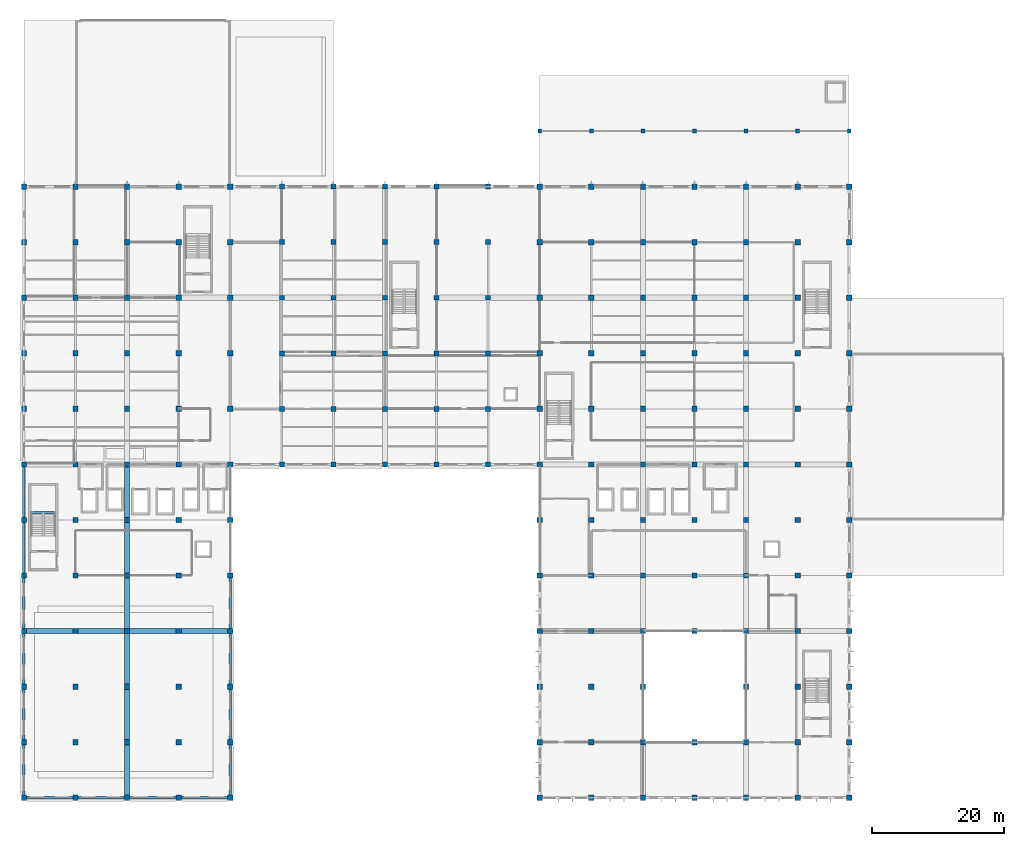
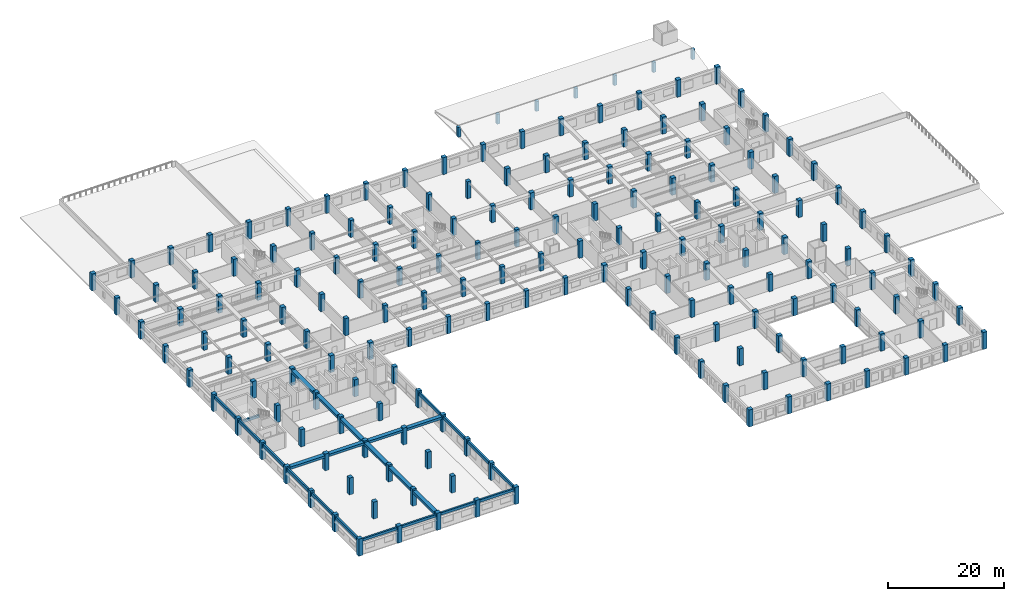
# One storey, part 1 of 50: 180 columns, 25 beams.
"""IFC4 building model written with IfcOpenShell, lengths in metres."""

from ifc_helpers import new_model, si_unit, direction, frame, origin, origin_2d, place, context, subcontext, project, spatial, rectangle, extrude, material, material_profile, profile_set, type_object, element, save


model = new_model("IFC4")

# Units and contexts
model_context = context("Model", 3, precision=1e-05, world=origin(), true_north=direction((0.0, 1.0)))
body_context = subcontext(model_context, "Body", "Model", "MODEL_VIEW")
ifc_project = project(units=[si_unit("LENGTHUNIT", "METRE"), si_unit("AREAUNIT", "SQUARE_METRE"), si_unit("VOLUMEUNIT", "CUBIC_METRE"), si_unit("PLANEANGLEUNIT", "RADIAN"), si_unit("MASSUNIT", "GRAM", prefix="KILO"), si_unit("THERMODYNAMICTEMPERATUREUNIT", "KELVIN"), si_unit("POWERUNIT", "WATT")], contexts=[model_context])

# Site, building, storey
site_placement = place(None, origin())
site = spatial("IfcSite", under=ifc_project, at=site_placement, CompositionType="ELEMENT")
building_placement = place(site_placement, origin())
building = spatial("IfcBuilding", under=site, at=building_placement, Name="Srebrne Nadtorze General Hospital", CompositionType="ELEMENT")
storey_placement = place(building_placement, frame((0.0, 0.0, 14.39990234375)))
storey = spatial("IfcBuildingStorey", under=building, at=storey_placement, Name="L03", CompositionType="ELEMENT", Elevation=14.39990234375)

# Columns
ifc_material_1 = material(Name="Concrete C35/45", Category="concrete")
ifc_material_profile_1 = material_profile(ifc_material_1, rectangle(XDim=0.60009765625, YDim=0.60009765625, at=origin_2d()), Name="RC-COL-600x600")
ifc_profile_set_1 = profile_set([ifc_material_profile_1], Name="Concrete C35/45")
column_type_1 = type_object("IfcColumnType", Name="Reinforced concrete column 600x600", PredefinedType="COLUMN", material=ifc_profile_set_1)
for number, where, z_axis, x_axis, name in (
    (1, (101.39990234375, 100.800048828125, 0.0), (0.0, 0.0, 1.0), (1.0, 0.0, 0.0), "Pavilion roof ridge column NEB 01"),
    (2, (109.199951171875, 100.800048828125, 0.0), (0.0, 0.0, 1.0), (1.0, 0.0, 0.0), "Pavilion roof ridge column NEB 02"),
    (3, (117.0, 100.800048828125, 0.0), (0.0, 0.0, 1.0), (1.0, 0.0, 0.0), "Pavilion roof ridge column NEB 03"),
    (4, (124.800048828125, 100.800048828125, 0.0), (0.0, 0.0, 1.0), (1.0, 0.0, 0.0), "Pavilion roof ridge column NEB 04"),
    (5, (132.60009765625, 100.800048828125, 0.0), (0.0, 0.0, 1.0), (1.0, 0.0, 0.0), "Pavilion roof ridge column NEB 05"),
    (6, (140.39990234375, 100.800048828125, 0.0), (0.0, 0.0, 1.0), (1.0, 0.0, 0.0), "Pavilion roof ridge column NEB 06"),
    (7, (148.199951171875, 100.800048828125, 0.0), (0.0, 0.0, 1.0), (1.0, 0.0, 0.0), "Pavilion roof ridge column NEB 07"),
):
    element("IfcColumn", number, at=place(storey_placement, frame(where, z_axis=z_axis, x_axis=x_axis)), inside=storey, type_object=column_type_1, Name=name, PredefinedType="COLUMN", context=body_context, shape_type="SweptSolid", body=[
        extrude(rectangle(XDim=0.60009765625, YDim=0.60009765625, at=origin_2d()), origin(), (0.0, 0.0, 1.0), 2.080078125),
    ])
ifc_material_2 = material(Name="Concrete C40/50", Category="concrete")
ifc_material_profile_2 = material_profile(ifc_material_2, rectangle(XDim=0.75, YDim=0.75, at=origin_2d()), Name="RC-COL-750x750")
ifc_profile_set_2 = profile_set([ifc_material_profile_2], Name="Concrete C40/50")
column_type_2 = type_object("IfcColumnType", Name="Reinforced concrete column 750x750", PredefinedType="COLUMN", material=ifc_profile_set_2)
for number, where, z_axis, x_axis, name in (
    (8, (62.39990234375, 50.39990234375, 0.0), (0.0, 0.0, 1.0), (1.0, 0.0, 0.0), "Column CL-L03-9-G"),
    (9, (62.39990234375, 58.800048828125, 0.0), (0.0, 0.0, 1.0), (1.0, 0.0, 0.0), "Column CL-L03-9-H"),
    (10, (62.39990234375, 67.199951171875, 0.0), (0.0, 0.0, 1.0), (1.0, 0.0, 0.0), "Column CL-L03-9-J"),
    (11, (62.39990234375, 75.60009765625, 0.0), (0.0, 0.0, 1.0), (1.0, 0.0, 0.0), "Column CL-L03-9-K"),
    (12, (62.39990234375, 84.0, 0.0), (0.0, 0.0, 1.0), (1.0, 0.0, 0.0), "Column CL-L03-9-L"),
    (13, (62.39990234375, 92.39990234375, 0.0), (0.0, 0.0, 1.0), (1.0, 0.0, 0.0), "Column CL-L03-9-M"),
    (14, (70.199951171875, 50.39990234375, 0.0), (0.0, 0.0, 1.0), (1.0, 0.0, 0.0), "Column CL-L03-10-G"),
    (15, (70.199951171875, 58.800048828125, 0.0), (0.0, 0.0, 1.0), (1.0, 0.0, 0.0), "Column CL-L03-10-H"),
    (16, (70.199951171875, 67.199951171875, 0.0), (0.0, 0.0, 1.0), (1.0, 0.0, 0.0), "Column CL-L03-10-J"),
    (17, (70.199951171875, 75.60009765625, 0.0), (0.0, 0.0, 1.0), (1.0, 0.0, 0.0), "Column CL-L03-10-K"),
    (18, (70.199951171875, 84.0, 0.0), (0.0, 0.0, 1.0), (1.0, 0.0, 0.0), "Column CL-L03-10-L"),
    (19, (70.199951171875, 92.39990234375, 0.0), (0.0, 0.0, 1.0), (1.0, 0.0, 0.0), "Column CL-L03-10-M"),
    (20, (78.0, 50.39990234375, 0.0), (0.0, 0.0, 1.0), (1.0, 0.0, 0.0), "Column CL-L03-11-G"),
    (21, (78.0, 58.800048828125, 0.0), (0.0, 0.0, 1.0), (1.0, 0.0, 0.0), "Column CL-L03-11-H"),
    (22, (78.0, 67.199951171875, 0.0), (0.0, 0.0, 1.0), (1.0, 0.0, 0.0), "Column CL-L03-11-J"),
    (23, (78.0, 75.60009765625, 0.0), (0.0, 0.0, 1.0), (1.0, 0.0, 0.0), "Column CL-L03-11-K"),
    (24, (78.0, 84.0, 0.0), (0.0, 0.0, 1.0), (1.0, 0.0, 0.0), "Column CL-L03-11-L"),
    (25, (78.0, 92.39990234375, 0.0), (0.0, 0.0, 1.0), (1.0, 0.0, 0.0), "Column CL-L03-11-M"),
    (26, (85.800048828125, 50.39990234375, 0.0), (0.0, 0.0, 1.0), (1.0, 0.0, 0.0), "Column CL-L03-12-G"),
    (27, (85.800048828125, 58.800048828125, 0.0), (0.0, 0.0, 1.0), (1.0, 0.0, 0.0), "Column CL-L03-12-H"),
    (28, (85.800048828125, 67.199951171875, 0.0), (0.0, 0.0, 1.0), (1.0, 0.0, 0.0), "Column CL-L03-12-J"),
    (29, (85.800048828125, 75.60009765625, 0.0), (0.0, 0.0, 1.0), (1.0, 0.0, 0.0), "Column CL-L03-12-K"),
    (30, (85.800048828125, 84.0, 0.0), (0.0, 0.0, 1.0), (1.0, 0.0, 0.0), "Column CL-L03-12-L"),
    (31, (85.800048828125, 92.39990234375, 0.0), (0.0, 0.0, 1.0), (1.0, 0.0, 0.0), "Column CL-L03-12-M"),
    (32, (93.60009765625, 50.39990234375, 0.0), (0.0, 0.0, 1.0), (1.0, 0.0, 0.0), "Column CL-L03-13-G"),
    (33, (93.60009765625, 58.800048828125, 0.0), (0.0, 0.0, 1.0), (1.0, 0.0, 0.0), "Column CL-L03-13-H"),
    (34, (93.60009765625, 67.199951171875, 0.0), (0.0, 0.0, 1.0), (1.0, 0.0, 0.0), "Column CL-L03-13-J"),
    (35, (93.60009765625, 75.60009765625, 0.0), (0.0, 0.0, 1.0), (1.0, 0.0, 0.0), "Column CL-L03-13-K"),
    (36, (93.60009765625, 84.0, 0.0), (0.0, 0.0, 1.0), (1.0, 0.0, 0.0), "Column CL-L03-13-L"),
    (37, (93.60009765625, 92.39990234375, 0.0), (0.0, 0.0, 1.0), (1.0, 0.0, 0.0), "Column CL-L03-13-M"),
):
    element("IfcColumn", number, at=place(storey_placement, frame(where, z_axis=z_axis, x_axis=x_axis)), inside=storey, type_object=column_type_2, Name=name, PredefinedType="COLUMN", context=body_context, shape_type="SweptSolid", body=[
        extrude(rectangle(XDim=0.75, YDim=0.75, at=origin_2d()), origin(), (0.0, 0.0, 1.0), 3.60009765625),
    ])
ifc_material_3 = material(Name="Concrete C40/50", Category="concrete")
ifc_material_profile_3 = material_profile(ifc_material_3, rectangle(XDim=0.800048828125, YDim=0.800048828125, at=origin_2d()), Name="RC-COL-800x800")
ifc_profile_set_3 = profile_set([ifc_material_profile_3], Name="Concrete C40/50")
column_type_3 = type_object("IfcColumnType", Name="Reinforced concrete column 800x800", PredefinedType="COLUMN", material=ifc_profile_set_3)
for number, where, z_axis, x_axis, name in (
    (38, (23.39990234375, 0.0, 0.0), (0.0, 0.0, 1.0), (1.0, 0.0, 0.0), "Column CL-L03-4-A"),
    (39, (23.39990234375, 8.39990234375, 0.0), (0.0, 0.0, 1.0), (1.0, 0.0, 0.0), "Column CL-L03-4-B"),
    (40, (23.39990234375, 16.800048828125, 0.0), (0.0, 0.0, 1.0), (1.0, 0.0, 0.0), "Column CL-L03-4-C"),
    (41, (23.39990234375, 25.199951171875, 0.0), (0.0, 0.0, 1.0), (1.0, 0.0, 0.0), "Column CL-L03-4-D"),
    (42, (23.39990234375, 33.60009765625, 0.0), (0.0, 0.0, 1.0), (1.0, 0.0, 0.0), "Column CL-L03-4-E"),
    (43, (23.39990234375, 42.0, 0.0), (0.0, 0.0, 1.0), (1.0, 0.0, 0.0), "Column CL-L03-4-F"),
    (44, (23.39990234375, 50.39990234375, 0.0), (0.0, 0.0, 1.0), (1.0, 0.0, 0.0), "Column CL-L03-4-G"),
    (45, (23.39990234375, 58.800048828125, 0.0), (0.0, 0.0, 1.0), (1.0, 0.0, 0.0), "Column CL-L03-4-H"),
    (46, (23.39990234375, 67.199951171875, 0.0), (0.0, 0.0, 1.0), (1.0, 0.0, 0.0), "Column CL-L03-4-J"),
    (47, (23.39990234375, 75.60009765625, 0.0), (0.0, 0.0, 1.0), (1.0, 0.0, 0.0), "Column CL-L03-4-K"),
    (48, (23.39990234375, 84.0, 0.0), (0.0, 0.0, 1.0), (1.0, 0.0, 0.0), "Column CL-L03-4-L"),
    (49, (23.39990234375, 92.39990234375, 0.0), (0.0, 0.0, 1.0), (1.0, 0.0, 0.0), "Column CL-L03-4-M"),
    (50, (31.199951171875, 0.0, 0.0), (0.0, 0.0, 1.0), (1.0, 0.0, 0.0), "Column CL-L03-5-A"),
    (51, (31.199951171875, 8.39990234375, 0.0), (0.0, 0.0, 1.0), (1.0, 0.0, 0.0), "Column CL-L03-5-B"),
    (52, (31.199951171875, 16.800048828125, 0.0), (0.0, 0.0, 1.0), (1.0, 0.0, 0.0), "Column CL-L03-5-C"),
    (53, (31.199951171875, 25.199951171875, 0.0), (0.0, 0.0, 1.0), (1.0, 0.0, 0.0), "Column CL-L03-5-D"),
    (54, (31.199951171875, 33.60009765625, 0.0), (0.0, 0.0, 1.0), (1.0, 0.0, 0.0), "Column CL-L03-5-E"),
    (55, (31.199951171875, 42.0, 0.0), (0.0, 0.0, 1.0), (1.0, 0.0, 0.0), "Column CL-L03-5-F"),
    (56, (31.199951171875, 50.39990234375, 0.0), (0.0, 0.0, 1.0), (1.0, 0.0, 0.0), "Column CL-L03-5-G"),
    (57, (31.199951171875, 58.800048828125, 0.0), (0.0, 0.0, 1.0), (1.0, 0.0, 0.0), "Column CL-L03-5-H"),
    (58, (31.199951171875, 67.199951171875, 0.0), (0.0, 0.0, 1.0), (1.0, 0.0, 0.0), "Column CL-L03-5-J"),
    (59, (31.199951171875, 75.60009765625, 0.0), (0.0, 0.0, 1.0), (1.0, 0.0, 0.0), "Column CL-L03-5-K"),
    (60, (31.199951171875, 84.0, 0.0), (0.0, 0.0, 1.0), (1.0, 0.0, 0.0), "Column CL-L03-5-L"),
    (61, (31.199951171875, 92.39990234375, 0.0), (0.0, 0.0, 1.0), (1.0, 0.0, 0.0), "Column CL-L03-5-M"),
    (62, (39.0, 0.0, 0.0), (0.0, 0.0, 1.0), (1.0, 0.0, 0.0), "Column CL-L03-6-A"),
    (63, (39.0, 8.39990234375, 0.0), (0.0, 0.0, 1.0), (1.0, 0.0, 0.0), "Column CL-L03-6-B"),
    (64, (39.0, 16.800048828125, 0.0), (0.0, 0.0, 1.0), (1.0, 0.0, 0.0), "Column CL-L03-6-C"),
    (65, (39.0, 25.199951171875, 0.0), (0.0, 0.0, 1.0), (1.0, 0.0, 0.0), "Column CL-L03-6-D"),
    (66, (39.0, 33.60009765625, 0.0), (0.0, 0.0, 1.0), (1.0, 0.0, 0.0), "Column CL-L03-6-E"),
    (67, (39.0, 42.0, 0.0), (0.0, 0.0, 1.0), (1.0, 0.0, 0.0), "Column CL-L03-6-F"),
    (68, (39.0, 50.39990234375, 0.0), (0.0, 0.0, 1.0), (1.0, 0.0, 0.0), "Column CL-L03-6-G"),
    (69, (39.0, 58.800048828125, 0.0), (0.0, 0.0, 1.0), (1.0, 0.0, 0.0), "Column CL-L03-6-H"),
    (70, (39.0, 67.199951171875, 0.0), (0.0, 0.0, 1.0), (1.0, 0.0, 0.0), "Column CL-L03-6-J"),
    (71, (39.0, 75.60009765625, 0.0), (0.0, 0.0, 1.0), (1.0, 0.0, 0.0), "Column CL-L03-6-K"),
    (72, (39.0, 84.0, 0.0), (0.0, 0.0, 1.0), (1.0, 0.0, 0.0), "Column CL-L03-6-L"),
    (73, (39.0, 92.39990234375, 0.0), (0.0, 0.0, 1.0), (1.0, 0.0, 0.0), "Column CL-L03-6-M"),
    (74, (46.800048828125, 0.0, 0.0), (0.0, 0.0, 1.0), (1.0, 0.0, 0.0), "Column CL-L03-7-A"),
    (75, (46.800048828125, 8.39990234375, 0.0), (0.0, 0.0, 1.0), (1.0, 0.0, 0.0), "Column CL-L03-7-B"),
    (76, (46.800048828125, 16.800048828125, 0.0), (0.0, 0.0, 1.0), (1.0, 0.0, 0.0), "Column CL-L03-7-C"),
    (77, (46.800048828125, 25.199951171875, 0.0), (0.0, 0.0, 1.0), (1.0, 0.0, 0.0), "Column CL-L03-7-D"),
    (78, (46.800048828125, 33.60009765625, 0.0), (0.0, 0.0, 1.0), (1.0, 0.0, 0.0), "Column CL-L03-7-E"),
    (79, (46.800048828125, 42.0, 0.0), (0.0, 0.0, 1.0), (1.0, 0.0, 0.0), "Column CL-L03-7-F"),
    (80, (46.800048828125, 50.39990234375, 0.0), (0.0, 0.0, 1.0), (1.0, 0.0, 0.0), "Column CL-L03-7-G"),
    (81, (46.800048828125, 58.800048828125, 0.0), (0.0, 0.0, 1.0), (1.0, 0.0, 0.0), "Column CL-L03-7-H"),
    (82, (46.800048828125, 67.199951171875, 0.0), (0.0, 0.0, 1.0), (1.0, 0.0, 0.0), "Column CL-L03-7-J"),
    (83, (46.800048828125, 75.60009765625, 0.0), (0.0, 0.0, 1.0), (1.0, 0.0, 0.0), "Column CL-L03-7-K"),
    (84, (46.800048828125, 84.0, 0.0), (0.0, 0.0, 1.0), (1.0, 0.0, 0.0), "Column CL-L03-7-L"),
    (85, (46.800048828125, 92.39990234375, 0.0), (0.0, 0.0, 1.0), (1.0, 0.0, 0.0), "Column CL-L03-7-M"),
    (86, (54.60009765625, 0.0, 0.0), (0.0, 0.0, 1.0), (1.0, 0.0, 0.0), "Column CL-L03-8-A"),
    (87, (54.60009765625, 8.39990234375, 0.0), (0.0, 0.0, 1.0), (1.0, 0.0, 0.0), "Column CL-L03-8-B"),
    (88, (54.60009765625, 16.800048828125, 0.0), (0.0, 0.0, 1.0), (1.0, 0.0, 0.0), "Column CL-L03-8-C"),
    (89, (54.60009765625, 25.199951171875, 0.0), (0.0, 0.0, 1.0), (1.0, 0.0, 0.0), "Column CL-L03-8-D"),
    (90, (54.60009765625, 33.60009765625, 0.0), (0.0, 0.0, 1.0), (1.0, 0.0, 0.0), "Column CL-L03-8-E"),
    (91, (54.60009765625, 42.0, 0.0), (0.0, 0.0, 1.0), (1.0, 0.0, 0.0), "Column CL-L03-8-F"),
    (92, (54.60009765625, 50.39990234375, 0.0), (0.0, 0.0, 1.0), (1.0, 0.0, 0.0), "Column CL-L03-8-G"),
    (93, (54.60009765625, 58.800048828125, 0.0), (0.0, 0.0, 1.0), (1.0, 0.0, 0.0), "Column CL-L03-8-H"),
    (94, (54.60009765625, 67.199951171875, 0.0), (0.0, 0.0, 1.0), (1.0, 0.0, 0.0), "Column CL-L03-8-J"),
    (95, (54.60009765625, 75.60009765625, 0.0), (0.0, 0.0, 1.0), (1.0, 0.0, 0.0), "Column CL-L03-8-K"),
    (96, (54.60009765625, 84.0, 0.0), (0.0, 0.0, 1.0), (1.0, 0.0, 0.0), "Column CL-L03-8-L"),
    (97, (54.60009765625, 92.39990234375, 0.0), (0.0, 0.0, 1.0), (1.0, 0.0, 0.0), "Column CL-L03-8-M"),
    (98, (101.39990234375, 0.0, 0.0), (0.0, 0.0, 1.0), (1.0, 0.0, 0.0), "Column CL-L03-14-A"),
    (99, (101.39990234375, 8.39990234375, 0.0), (0.0, 0.0, 1.0), (1.0, 0.0, 0.0), "Column CL-L03-14-B"),
    (100, (101.39990234375, 16.800048828125, 0.0), (0.0, 0.0, 1.0), (1.0, 0.0, 0.0), "Column CL-L03-14-C"),
    (101, (101.39990234375, 25.199951171875, 0.0), (0.0, 0.0, 1.0), (1.0, 0.0, 0.0), "Column CL-L03-14-D"),
    (102, (101.39990234375, 33.60009765625, 0.0), (0.0, 0.0, 1.0), (1.0, 0.0, 0.0), "Column CL-L03-14-E"),
    (103, (101.39990234375, 42.0, 0.0), (0.0, 0.0, 1.0), (1.0, 0.0, 0.0), "Column CL-L03-14-F"),
    (104, (101.39990234375, 50.39990234375, 0.0), (0.0, 0.0, 1.0), (1.0, 0.0, 0.0), "Column CL-L03-14-G"),
    (105, (101.39990234375, 58.800048828125, 0.0), (0.0, 0.0, 1.0), (1.0, 0.0, 0.0), "Column CL-L03-14-H"),
    (106, (101.39990234375, 67.199951171875, 0.0), (0.0, 0.0, 1.0), (1.0, 0.0, 0.0), "Column CL-L03-14-J"),
    (107, (101.39990234375, 75.60009765625, 0.0), (0.0, 0.0, 1.0), (1.0, 0.0, 0.0), "Column CL-L03-14-K"),
    (108, (101.39990234375, 84.0, 0.0), (0.0, 0.0, 1.0), (1.0, 0.0, 0.0), "Column CL-L03-14-L"),
    (109, (101.39990234375, 92.39990234375, 0.0), (0.0, 0.0, 1.0), (1.0, 0.0, 0.0), "Column CL-L03-14-M"),
    (110, (109.199951171875, 0.0, 0.0), (0.0, 0.0, 1.0), (1.0, 0.0, 0.0), "Column CL-L03-15-A"),
    (111, (109.199951171875, 8.39990234375, 0.0), (0.0, 0.0, 1.0), (1.0, 0.0, 0.0), "Column CL-L03-15-B"),
    (112, (109.199951171875, 16.800048828125, 0.0), (0.0, 0.0, 1.0), (1.0, 0.0, 0.0), "Column CL-L03-15-C"),
    (113, (109.199951171875, 25.199951171875, 0.0), (0.0, 0.0, 1.0), (1.0, 0.0, 0.0), "Column CL-L03-15-D"),
    (114, (109.199951171875, 33.60009765625, 0.0), (0.0, 0.0, 1.0), (1.0, 0.0, 0.0), "Column CL-L03-15-E"),
    (115, (109.199951171875, 42.0, 0.0), (0.0, 0.0, 1.0), (1.0, 0.0, 0.0), "Column CL-L03-15-F"),
    (116, (109.199951171875, 50.39990234375, 0.0), (0.0, 0.0, 1.0), (1.0, 0.0, 0.0), "Column CL-L03-15-G"),
    (117, (109.199951171875, 58.800048828125, 0.0), (0.0, 0.0, 1.0), (1.0, 0.0, 0.0), "Column CL-L03-15-H"),
    (118, (109.199951171875, 67.199951171875, 0.0), (0.0, 0.0, 1.0), (1.0, 0.0, 0.0), "Column CL-L03-15-J"),
    (119, (109.199951171875, 75.60009765625, 0.0), (0.0, 0.0, 1.0), (1.0, 0.0, 0.0), "Column CL-L03-15-K"),
    (120, (109.199951171875, 84.0, 0.0), (0.0, 0.0, 1.0), (1.0, 0.0, 0.0), "Column CL-L03-15-L"),
    (121, (109.199951171875, 92.39990234375, 0.0), (0.0, 0.0, 1.0), (1.0, 0.0, 0.0), "Column CL-L03-15-M"),
    (122, (117.0, 0.0, 0.0), (0.0, 0.0, 1.0), (1.0, 0.0, 0.0), "Column CL-L03-16-A"),
    (123, (117.0, 8.39990234375, 0.0), (0.0, 0.0, 1.0), (1.0, 0.0, 0.0), "Column CL-L03-16-B"),
    (124, (117.0, 16.800048828125, 0.0), (0.0, 0.0, 1.0), (1.0, 0.0, 0.0), "Column CL-L03-16-C"),
    (125, (117.0, 25.199951171875, 0.0), (0.0, 0.0, 1.0), (1.0, 0.0, 0.0), "Column CL-L03-16-D"),
    (126, (117.0, 33.60009765625, 0.0), (0.0, 0.0, 1.0), (1.0, 0.0, 0.0), "Column CL-L03-16-E"),
    (127, (117.0, 42.0, 0.0), (0.0, 0.0, 1.0), (1.0, 0.0, 0.0), "Column CL-L03-16-F"),
    (128, (117.0, 50.39990234375, 0.0), (0.0, 0.0, 1.0), (1.0, 0.0, 0.0), "Column CL-L03-16-G"),
    (129, (117.0, 58.800048828125, 0.0), (0.0, 0.0, 1.0), (1.0, 0.0, 0.0), "Column CL-L03-16-H"),
    (130, (117.0, 67.199951171875, 0.0), (0.0, 0.0, 1.0), (1.0, 0.0, 0.0), "Column CL-L03-16-J"),
    (131, (117.0, 75.60009765625, 0.0), (0.0, 0.0, 1.0), (1.0, 0.0, 0.0), "Column CL-L03-16-K"),
    (132, (117.0, 84.0, 0.0), (0.0, 0.0, 1.0), (1.0, 0.0, 0.0), "Column CL-L03-16-L"),
    (133, (117.0, 92.39990234375, 0.0), (0.0, 0.0, 1.0), (1.0, 0.0, 0.0), "Column CL-L03-16-M"),
    (134, (124.800048828125, 0.0, 0.0), (0.0, 0.0, 1.0), (1.0, 0.0, 0.0), "Column CL-L03-17-A"),
    (135, (124.800048828125, 8.39990234375, 0.0), (0.0, 0.0, 1.0), (1.0, 0.0, 0.0), "Column CL-L03-17-B"),
    (136, (124.800048828125, 25.199951171875, 0.0), (0.0, 0.0, 1.0), (1.0, 0.0, 0.0), "Column CL-L03-17-D"),
    (137, (124.800048828125, 33.60009765625, 0.0), (0.0, 0.0, 1.0), (1.0, 0.0, 0.0), "Column CL-L03-17-E"),
    (138, (124.800048828125, 42.0, 0.0), (0.0, 0.0, 1.0), (1.0, 0.0, 0.0), "Column CL-L03-17-F"),
    (139, (124.800048828125, 50.39990234375, 0.0), (0.0, 0.0, 1.0), (1.0, 0.0, 0.0), "Column CL-L03-17-G"),
    (140, (124.800048828125, 58.800048828125, 0.0), (0.0, 0.0, 1.0), (1.0, 0.0, 0.0), "Column CL-L03-17-H"),
    (141, (124.800048828125, 67.199951171875, 0.0), (0.0, 0.0, 1.0), (1.0, 0.0, 0.0), "Column CL-L03-17-J"),
    (142, (124.800048828125, 75.60009765625, 0.0), (0.0, 0.0, 1.0), (1.0, 0.0, 0.0), "Column CL-L03-17-K"),
    (143, (124.800048828125, 84.0, 0.0), (0.0, 0.0, 1.0), (1.0, 0.0, 0.0), "Column CL-L03-17-L"),
    (144, (124.800048828125, 92.39990234375, 0.0), (0.0, 0.0, 1.0), (1.0, 0.0, 0.0), "Column CL-L03-17-M"),
    (145, (132.60009765625, 0.0, 0.0), (0.0, 0.0, 1.0), (1.0, 0.0, 0.0), "Column CL-L03-18-A"),
    (146, (132.60009765625, 8.39990234375, 0.0), (0.0, 0.0, 1.0), (1.0, 0.0, 0.0), "Column CL-L03-18-B"),
    (147, (132.60009765625, 16.800048828125, 0.0), (0.0, 0.0, 1.0), (1.0, 0.0, 0.0), "Column CL-L03-18-C"),
    (148, (132.60009765625, 25.199951171875, 0.0), (0.0, 0.0, 1.0), (1.0, 0.0, 0.0), "Column CL-L03-18-D"),
    (149, (132.60009765625, 33.60009765625, 0.0), (0.0, 0.0, 1.0), (1.0, 0.0, 0.0), "Column CL-L03-18-E"),
    (150, (132.60009765625, 42.0, 0.0), (0.0, 0.0, 1.0), (1.0, 0.0, 0.0), "Column CL-L03-18-F"),
    (151, (132.60009765625, 50.39990234375, 0.0), (0.0, 0.0, 1.0), (1.0, 0.0, 0.0), "Column CL-L03-18-G"),
    (152, (132.60009765625, 58.800048828125, 0.0), (0.0, 0.0, 1.0), (1.0, 0.0, 0.0), "Column CL-L03-18-H"),
    (153, (132.60009765625, 67.199951171875, 0.0), (0.0, 0.0, 1.0), (1.0, 0.0, 0.0), "Column CL-L03-18-J"),
    (154, (132.60009765625, 75.60009765625, 0.0), (0.0, 0.0, 1.0), (1.0, 0.0, 0.0), "Column CL-L03-18-K"),
    (155, (132.60009765625, 84.0, 0.0), (0.0, 0.0, 1.0), (1.0, 0.0, 0.0), "Column CL-L03-18-L"),
    (156, (132.60009765625, 92.39990234375, 0.0), (0.0, 0.0, 1.0), (1.0, 0.0, 0.0), "Column CL-L03-18-M"),
    (157, (140.39990234375, 0.0, 0.0), (0.0, 0.0, 1.0), (1.0, 0.0, 0.0), "Column CL-L03-19-A"),
    (158, (140.39990234375, 8.39990234375, 0.0), (0.0, 0.0, 1.0), (1.0, 0.0, 0.0), "Column CL-L03-19-B"),
    (159, (140.39990234375, 16.800048828125, 0.0), (0.0, 0.0, 1.0), (1.0, 0.0, 0.0), "Column CL-L03-19-C"),
    (160, (140.39990234375, 25.199951171875, 0.0), (0.0, 0.0, 1.0), (1.0, 0.0, 0.0), "Column CL-L03-19-D"),
    (161, (140.39990234375, 33.60009765625, 0.0), (0.0, 0.0, 1.0), (1.0, 0.0, 0.0), "Column CL-L03-19-E"),
    (162, (140.39990234375, 42.0, 0.0), (0.0, 0.0, 1.0), (1.0, 0.0, 0.0), "Column CL-L03-19-F"),
    (163, (140.39990234375, 50.39990234375, 0.0), (0.0, 0.0, 1.0), (1.0, 0.0, 0.0), "Column CL-L03-19-G"),
    (164, (140.39990234375, 58.800048828125, 0.0), (0.0, 0.0, 1.0), (1.0, 0.0, 0.0), "Column CL-L03-19-H"),
    (165, (140.39990234375, 67.199951171875, 0.0), (0.0, 0.0, 1.0), (1.0, 0.0, 0.0), "Column CL-L03-19-J"),
    (166, (140.39990234375, 75.60009765625, 0.0), (0.0, 0.0, 1.0), (1.0, 0.0, 0.0), "Column CL-L03-19-K"),
    (167, (140.39990234375, 84.0, 0.0), (0.0, 0.0, 1.0), (1.0, 0.0, 0.0), "Column CL-L03-19-L"),
    (168, (140.39990234375, 92.39990234375, 0.0), (0.0, 0.0, 1.0), (1.0, 0.0, 0.0), "Column CL-L03-19-M"),
    (169, (148.199951171875, 0.0, 0.0), (0.0, 0.0, 1.0), (1.0, 0.0, 0.0), "Column CL-L03-20-A"),
    (170, (148.199951171875, 8.39990234375, 0.0), (0.0, 0.0, 1.0), (1.0, 0.0, 0.0), "Column CL-L03-20-B"),
    (171, (148.199951171875, 16.800048828125, 0.0), (0.0, 0.0, 1.0), (1.0, 0.0, 0.0), "Column CL-L03-20-C"),
    (172, (148.199951171875, 25.199951171875, 0.0), (0.0, 0.0, 1.0), (1.0, 0.0, 0.0), "Column CL-L03-20-D"),
    (173, (148.199951171875, 33.60009765625, 0.0), (0.0, 0.0, 1.0), (1.0, 0.0, 0.0), "Column CL-L03-20-E"),
    (174, (148.199951171875, 42.0, 0.0), (0.0, 0.0, 1.0), (1.0, 0.0, 0.0), "Column CL-L03-20-F"),
    (175, (148.199951171875, 50.39990234375, 0.0), (0.0, 0.0, 1.0), (1.0, 0.0, 0.0), "Column CL-L03-20-G"),
    (176, (148.199951171875, 58.800048828125, 0.0), (0.0, 0.0, 1.0), (1.0, 0.0, 0.0), "Column CL-L03-20-H"),
    (177, (148.199951171875, 67.199951171875, 0.0), (0.0, 0.0, 1.0), (1.0, 0.0, 0.0), "Column CL-L03-20-J"),
    (178, (148.199951171875, 75.60009765625, 0.0), (0.0, 0.0, 1.0), (1.0, 0.0, 0.0), "Column CL-L03-20-K"),
    (179, (148.199951171875, 84.0, 0.0), (0.0, 0.0, 1.0), (1.0, 0.0, 0.0), "Column CL-L03-20-L"),
    (180, (148.199951171875, 92.39990234375, 0.0), (0.0, 0.0, 1.0), (1.0, 0.0, 0.0), "Column CL-L03-20-M"),
):
    element("IfcColumn", number, at=place(storey_placement, frame(where, z_axis=z_axis, x_axis=x_axis)), inside=storey, type_object=column_type_3, Name=name, PredefinedType="COLUMN", context=body_context, shape_type="SweptSolid", body=[
        extrude(rectangle(XDim=0.800048828125, YDim=0.800048828125, at=origin_2d()), origin(), (0.0, 0.0, 1.0), 3.60009765625),
    ])

# Beams
ifc_material_4 = material(Name="Concrete C35/45", Category="concrete")
ifc_material_profile_4 = material_profile(ifc_material_4, rectangle(XDim=0.35009765625, YDim=0.64990234375, at=origin_2d()), Name="RC-BM-350x650")
ifc_profile_set_4 = profile_set([ifc_material_profile_4], Name="Concrete C35/45")
beam_type_1 = type_object("IfcBeamType", Name="Edge beam RC 350x650", PredefinedType="BEAM", material=ifc_profile_set_4)
beam_1_placement = place(storey_placement, frame((23.39990234375, 0.39990234375, 2.945068359375), z_axis=(0.0, 1.0, 0.0), x_axis=(-1.0, 0.0, 0.0)))
element("IfcBeam", 181, at=beam_1_placement, inside=storey, type_object=beam_type_1, Name="Beam BM-L03-Y-0787", PredefinedType="BEAM", context=body_context, shape_type="SweptSolid", body=[
    extrude(rectangle(XDim=0.35009765625, YDim=0.64990234375, at=origin_2d()), origin(), (0.0, 0.0, 1.0), 7.60009765625),
])
beam_2_placement = place(storey_placement, frame((23.39990234375, 8.800048828125, 2.945068359375), z_axis=(0.0, 1.0, 0.0), x_axis=(-1.0, 0.0, 0.0)))
element("IfcBeam", 182, at=beam_2_placement, inside=storey, type_object=beam_type_1, Name="Beam BM-L03-Y-0788", PredefinedType="BEAM", context=body_context, shape_type="SweptSolid", body=[
    extrude(rectangle(XDim=0.35009765625, YDim=0.64990234375, at=origin_2d()), origin(), (0.0, 0.0, 1.0), 7.599853515625),
])
beam_3_placement = place(storey_placement, frame((23.39990234375, 17.199951171875, 2.945068359375), z_axis=(0.0, 1.0, 0.0), x_axis=(-1.0, 0.0, 0.0)))
element("IfcBeam", 183, at=beam_3_placement, inside=storey, type_object=beam_type_1, Name="Beam BM-L03-Y-0789", PredefinedType="BEAM", context=body_context, shape_type="SweptSolid", body=[
    extrude(rectangle(XDim=0.35009765625, YDim=0.64990234375, at=origin_2d()), origin(), (0.0, 0.0, 1.0), 7.60009765625),
])
beam_4_placement = place(storey_placement, frame((23.39990234375, 25.60009765625, 2.945068359375), z_axis=(0.0, 1.0, 0.0), x_axis=(-1.0, 0.0, 0.0)))
element("IfcBeam", 184, at=beam_4_placement, inside=storey, type_object=beam_type_1, Name="Beam BM-L03-Y-0790", PredefinedType="BEAM", context=body_context, shape_type="SweptSolid", body=[
    extrude(rectangle(XDim=0.35009765625, YDim=0.64990234375, at=origin_2d()), origin(), (0.0, 0.0, 1.0), 7.599853515625),
])
for number, where, z_axis, x_axis, name in (
    (185, (23.39990234375, 34.0, 2.945068359375), (0.0, 1.0, 0.0), (-1.0, 0.0, 0.0), "Beam BM-L03-Y-0791"),
    (186, (23.39990234375, 42.39990234375, 2.945068359375), (0.0, 1.0, 0.0), (-1.0, 0.0, 0.0), "Beam BM-L03-Y-0792"),
    (187, (54.60009765625, 0.39990234375, 2.945068359375), (0.0, 1.0, 0.0), (-1.0, 0.0, 0.0), "Beam BM-L03-Y-0809"),
):
    element("IfcBeam", number, at=place(storey_placement, frame(where, z_axis=z_axis, x_axis=x_axis)), inside=storey, type_object=beam_type_1, Name=name, PredefinedType="BEAM", context=body_context, shape_type="SweptSolid", body=[
        extrude(rectangle(XDim=0.35009765625, YDim=0.64990234375, at=origin_2d()), origin(), (0.0, 0.0, 1.0), 7.60009765625),
    ])
beam_5_placement = place(storey_placement, frame((54.60009765625, 8.800048828125, 2.945068359375), z_axis=(0.0, 1.0, 0.0), x_axis=(-1.0, 0.0, 0.0)))
element("IfcBeam", 188, at=beam_5_placement, inside=storey, type_object=beam_type_1, Name="Beam BM-L03-Y-0810", PredefinedType="BEAM", context=body_context, shape_type="SweptSolid", body=[
    extrude(rectangle(XDim=0.35009765625, YDim=0.64990234375, at=origin_2d()), origin(), (0.0, 0.0, 1.0), 7.599853515625),
])
beam_6_placement = place(storey_placement, frame((54.60009765625, 17.199951171875, 2.945068359375), z_axis=(0.0, 1.0, 0.0), x_axis=(-1.0, 0.0, 0.0)))
element("IfcBeam", 189, at=beam_6_placement, inside=storey, type_object=beam_type_1, Name="Beam BM-L03-Y-0811", PredefinedType="BEAM", context=body_context, shape_type="SweptSolid", body=[
    extrude(rectangle(XDim=0.35009765625, YDim=0.64990234375, at=origin_2d()), origin(), (0.0, 0.0, 1.0), 7.60009765625),
])
beam_7_placement = place(storey_placement, frame((54.60009765625, 25.60009765625, 2.945068359375), z_axis=(0.0, 1.0, 0.0), x_axis=(-1.0, 0.0, 0.0)))
element("IfcBeam", 190, at=beam_7_placement, inside=storey, type_object=beam_type_1, Name="Beam BM-L03-Y-0812", PredefinedType="BEAM", context=body_context, shape_type="SweptSolid", body=[
    extrude(rectangle(XDim=0.35009765625, YDim=0.64990234375, at=origin_2d()), origin(), (0.0, 0.0, 1.0), 7.599853515625),
])
ifc_material_5 = material(Name="Concrete C40/50", Category="concrete")
ifc_material_profile_5 = material_profile(ifc_material_5, rectangle(XDim=0.800048828125, YDim=0.5, at=origin_2d()), Name="RC-BM-800x500")
ifc_profile_set_5 = profile_set([ifc_material_profile_5], Name="Concrete C40/50")
beam_type_2 = type_object("IfcBeamType", Name="Primary beam RC 800x500", PredefinedType="BEAM", material=ifc_profile_set_5)
for number, where, z_axis, x_axis, name in (
    (191, (23.800048828125, 25.199951171875, 3.02001953125), (1.0, 0.0, 0.0), (0.0, 1.0, 0.0), "Beam BM-L03-X-0731"),
    (192, (31.60009765625, 25.199951171875, 3.02001953125), (1.0, 0.0, 0.0), (0.0, 1.0, 0.0), "Beam BM-L03-X-0732"),
    (193, (39.39990234375, 25.199951171875, 3.02001953125), (1.0, 0.0, 0.0), (0.0, 1.0, 0.0), "Beam BM-L03-X-0733"),
    (194, (47.199951171875, 25.199951171875, 3.02001953125), (1.0, 0.0, 0.0), (0.0, 1.0, 0.0), "Beam BM-L03-X-0734"),
):
    element("IfcBeam", number, at=place(storey_placement, frame(where, z_axis=z_axis, x_axis=x_axis)), inside=storey, type_object=beam_type_2, Name=name, PredefinedType="BEAM", context=body_context, shape_type="SweptSolid", body=[
        extrude(rectangle(XDim=0.800048828125, YDim=0.5, at=origin_2d()), origin(), (0.0, 0.0, 1.0), 7.0),
    ])
beam_8_placement = place(storey_placement, frame((39.0, 0.39990234375, 3.02001953125), z_axis=(0.0, 1.0, 0.0), x_axis=(-1.0, 0.0, 0.0)))
element("IfcBeam", 195, at=beam_8_placement, inside=storey, type_object=beam_type_2, Name="Beam BM-L03-Y-0798", PredefinedType="BEAM", context=body_context, shape_type="SweptSolid", body=[
    extrude(rectangle(XDim=0.800048828125, YDim=0.5, at=origin_2d()), origin(), (0.0, 0.0, 1.0), 7.60009765625),
])
beam_9_placement = place(storey_placement, frame((39.0, 8.800048828125, 3.02001953125), z_axis=(0.0, 1.0, 0.0), x_axis=(-1.0, 0.0, 0.0)))
element("IfcBeam", 196, at=beam_9_placement, inside=storey, type_object=beam_type_2, Name="Beam BM-L03-Y-0799", PredefinedType="BEAM", context=body_context, shape_type="SweptSolid", body=[
    extrude(rectangle(XDim=0.800048828125, YDim=0.5, at=origin_2d()), origin(), (0.0, 0.0, 1.0), 7.599853515625),
])
beam_10_placement = place(storey_placement, frame((39.0, 17.199951171875, 3.02001953125), z_axis=(0.0, 1.0, 0.0), x_axis=(-1.0, 0.0, 0.0)))
element("IfcBeam", 197, at=beam_10_placement, inside=storey, type_object=beam_type_2, Name="Beam BM-L03-Y-0800", PredefinedType="BEAM", context=body_context, shape_type="SweptSolid", body=[
    extrude(rectangle(XDim=0.800048828125, YDim=0.5, at=origin_2d()), origin(), (0.0, 0.0, 1.0), 7.60009765625),
])
beam_11_placement = place(storey_placement, frame((39.0, 25.60009765625, 3.02001953125), z_axis=(0.0, 1.0, 0.0), x_axis=(-1.0, 0.0, 0.0)))
element("IfcBeam", 198, at=beam_11_placement, inside=storey, type_object=beam_type_2, Name="Beam BM-L03-Y-0801", PredefinedType="BEAM", context=body_context, shape_type="SweptSolid", body=[
    extrude(rectangle(XDim=0.800048828125, YDim=0.5, at=origin_2d()), origin(), (0.0, 0.0, 1.0), 7.599853515625),
])
for number, where, z_axis, x_axis, name in (
    (199, (39.0, 34.0, 3.02001953125), (0.0, 1.0, 0.0), (-1.0, 0.0, 0.0), "Beam BM-L03-Y-0802"),
    (200, (39.0, 42.39990234375, 3.02001953125), (0.0, 1.0, 0.0), (-1.0, 0.0, 0.0), "Beam BM-L03-Y-0803"),
):
    element("IfcBeam", number, at=place(storey_placement, frame(where, z_axis=z_axis, x_axis=x_axis)), inside=storey, type_object=beam_type_2, Name=name, PredefinedType="BEAM", context=body_context, shape_type="SweptSolid", body=[
        extrude(rectangle(XDim=0.800048828125, YDim=0.5, at=origin_2d()), origin(), (0.0, 0.0, 1.0), 7.60009765625),
    ])
ifc_material_6 = material(Name="Concrete C35/45", Category="concrete")
ifc_material_profile_6 = material_profile(ifc_material_6, rectangle(XDim=0.35009765625, YDim=0.550048828125, at=origin_2d()), Name="RC-BM-350x550")
ifc_profile_set_6 = profile_set([ifc_material_profile_6], Name="Concrete C35/45")
beam_type_3 = type_object("IfcBeamType", Name="Spandrel lintel beam RC 350x550", PredefinedType="LINTEL", material=ifc_profile_set_6)
for number, where, z_axis, x_axis, name in (
    (201, (23.800048828125, 0.0, 2.9951171875), (1.0, 0.0, 0.0), (0.0, 1.0, 0.0), "Beam BM-L03-X-0719"),
    (202, (31.60009765625, 0.0, 2.9951171875), (1.0, 0.0, 0.0), (0.0, 1.0, 0.0), "Beam BM-L03-X-0720"),
    (203, (39.39990234375, 0.0, 2.9951171875), (1.0, 0.0, 0.0), (0.0, 1.0, 0.0), "Beam BM-L03-X-0721"),
    (204, (47.199951171875, 0.0, 2.9951171875), (1.0, 0.0, 0.0), (0.0, 1.0, 0.0), "Beam BM-L03-X-0722"),
):
    element("IfcBeam", number, at=place(storey_placement, frame(where, z_axis=z_axis, x_axis=x_axis)), inside=storey, type_object=beam_type_3, Name=name, PredefinedType="LINTEL", context=body_context, shape_type="SweptSolid", body=[
        extrude(rectangle(XDim=0.35009765625, YDim=0.550048828125, at=origin_2d()), origin(), (0.0, 0.0, 1.0), 7.0),
    ])
beam_12_placement = place(storey_placement, frame((24.449951171875, 43.1201171875, 1.525146484375), z_axis=(1.0, 0.0, 0.0), x_axis=(0.0, 1.0, 0.0)))
element("IfcBeam", 205, at=beam_12_placement, inside=storey, type_object=beam_type_3, Name="Stair landing header beam ST-01 L03", PredefinedType="LINTEL", context=body_context, shape_type="SweptSolid", body=[
    extrude(rectangle(XDim=0.35009765625, YDim=0.550048828125, at=origin_2d()), origin(), (0.0, 0.0, 1.0), 3.75),
])

save(model, "model.ifc")
